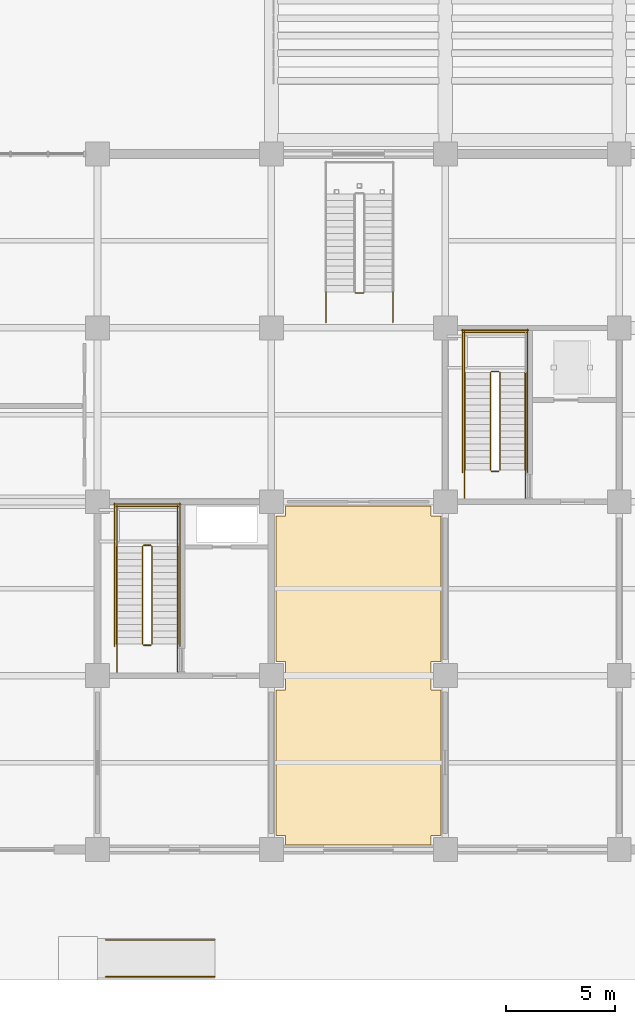
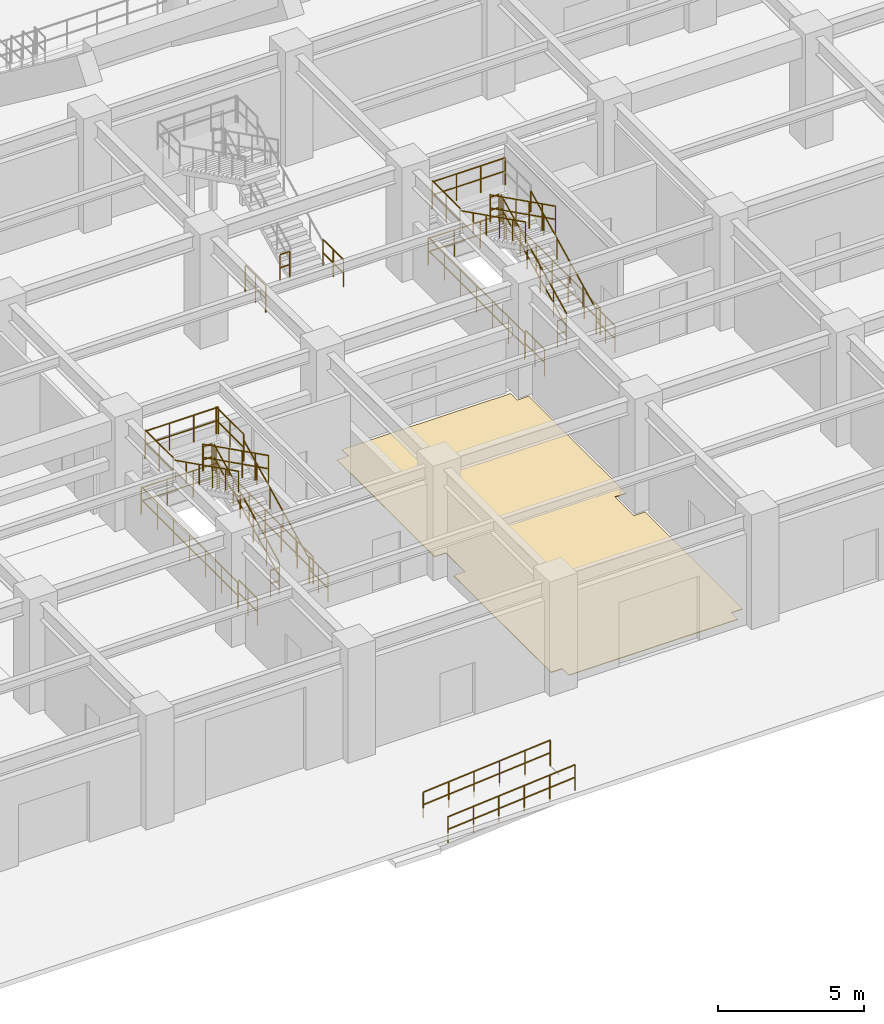
# One storey, part 105 of 125: 32 railings, 1 covering.
"""IFC4 building model written with IfcOpenShell, lengths in metres."""

from ifc_helpers import new_model, si_unit, direction, frame, origin, origin_2d, place, context, subcontext, project, spatial, polyline, circle, outline, extrude, material, layer, layer_set, type_object, element, save


model = new_model("IFC4")

# Units and contexts
model_context = context("Model", 3, precision=1e-05, world=origin(), true_north=direction((0.0, 1.0)))
body_context = subcontext(model_context, "Body", "Model", "MODEL_VIEW")
ifc_project = project(units=[si_unit("LENGTHUNIT", "METRE"), si_unit("AREAUNIT", "SQUARE_METRE"), si_unit("VOLUMEUNIT", "CUBIC_METRE"), si_unit("PLANEANGLEUNIT", "RADIAN"), si_unit("MASSUNIT", "GRAM", prefix="KILO")], contexts=[model_context])

# Site, building, storey
site_placement = place(None, origin())
site = spatial("IfcSite", under=ifc_project, at=site_placement, CompositionType="ELEMENT")
building_placement = place(site_placement, origin())
building = spatial("IfcBuilding", under=site, at=building_placement, Name="Haebicheon Civic Stadium", CompositionType="ELEMENT")
storey_placement = place(building_placement, origin())
storey = spatial("IfcBuildingStorey", under=building, at=storey_placement, Name="L01", CompositionType="ELEMENT", Elevation=0.0)

# Covering
ifc_material_1 = material(Name="Quartz epoxy resin mortar", Category="concrete")
ifc_layer = layer(ifc_material_1, 0.030029296875, Name="Quartz epoxy resin mortar")
ifc_layer_set = layer_set([ifc_layer], Name="Quartz epoxy resin mortar")
covering_type = type_object("IfcCoveringType", Name="COV-FLR-EPX", PredefinedType="FLOORING", material=ifc_layer_set)
covering_placement = place(storey_placement, origin())
element("IfcCovering", 1, at=covering_placement, inside=storey, type_object=covering_type, material=ifc_layer_set, Name="L01 Loading Dock Marshalling Bay non-slip floor finish", PredefinedType="FLOORING", context=body_context, shape_type="SweptSolid", body=[
    extrude(outline(polyline([(80.64990234375, 0.199951171875), (80.64990234375, 0.64990234375), (80.199951171875, 0.64990234375), (80.199951171875, 7.35009765625), (80.64990234375, 7.35009765625), (80.64990234375, 8.64990234375), (80.199951171875, 8.64990234375), (80.199951171875, 15.35009765625), (80.64990234375, 15.35009765625), (80.64990234375, 15.800048828125), (87.35009765625, 15.800048828125), (87.35009765625, 15.35009765625), (87.800048828125, 15.35009765625), (87.800048828125, 8.64990234375), (87.35009765625, 8.64990234375), (87.35009765625, 7.35009765625), (87.800048828125, 7.35009765625), (87.800048828125, 0.64990234375), (87.35009765625, 0.64990234375), (87.35009765625, 0.199951171875), (80.64990234375, 0.199951171875)])), origin(), (0.0, 0.0, 1.0), 0.030029296875),
])

# Railings
ifc_material_2 = material(Name="Stainless steel 316 and laminated glass", Category="steel")
railing_type_1 = type_object("IfcRailingType", Name="RL-BAL-1200", PredefinedType="BALUSTRADE", material=ifc_material_2)
for number, where, name in (
    (2, (72.360107421875, -5.85009765625, -0.419921875), "Ramp handrail guard RMP-06 L"),
    (3, (72.360107421875, -4.14990234375, -0.419921875), "Ramp handrail guard RMP-06 R"),
):
    element("IfcRailing", number, at=place(storey_placement, frame(where)), inside=storey, type_object=railing_type_1, material=ifc_material_2, Name=name, PredefinedType="BALUSTRADE", context=body_context, shape_type="SweptSolid", body=[
        extrude(circle(Radius=0.02392578125, at=origin_2d()), frame((0.0, 0.0, 1.076171875), z_axis=(0.996546756972, 0.0, 0.083033494259), x_axis=(0.0, 1.0, 0.0)), (0.0, 0.0, 1.0), 5.057373046875),
        extrude(circle(Radius=0.02392578125, at=origin_2d()), frame((0.0, 0.0, 0.550048828125), z_axis=(0.996546756972, 0.0, 0.083033494259), x_axis=(0.0, 1.0, 0.0)), (0.0, 0.0, 1.0), 5.057373046875),
        extrude(circle(Radius=0.02099609375, at=origin_2d()), origin(), (0.0, 0.0, 1.0), 1.052001953125),
        extrude(circle(Radius=0.02099609375, at=origin_2d()), frame((1.008056640625, 0.0, 0.083984375)), (0.0, 0.0, 1.0), 1.052001953125),
        extrude(circle(Radius=0.02099609375, at=origin_2d()), frame((2.015869140625, 0.0, 0.16796875)), (0.0, 0.0, 1.0), 1.052001953125),
        extrude(circle(Radius=0.02099609375, at=origin_2d()), frame((3.02392578125, 0.0, 0.251953125)), (0.0, 0.0, 1.0), 1.052001953125),
        extrude(circle(Radius=0.02099609375, at=origin_2d()), frame((4.03173828125, 0.0, 0.3359375)), (0.0, 0.0, 1.0), 1.052001953125),
        extrude(circle(Radius=0.02099609375, at=origin_2d()), frame((5.039794921875, 0.0, 0.419921875)), (0.0, 0.0, 1.0), 1.052001953125),
    ])
ifc_material_3 = material(Name="Galvanised painted steel SM355", Category="steel")
railing_type_2 = type_object("IfcRailingType", Name="RL-GRD-1150", PredefinedType="GUARDRAIL", material=ifc_material_3)
railing_1_placement = place(storey_placement, frame((90.510009765625, 17.449951171875, 0.14990234375)))
element("IfcRailing", 4, at=railing_1_placement, inside=storey, type_object=railing_type_2, material=ifc_material_3, Name="L01 ST-06 stair guard 1", PredefinedType="GUARDRAIL", context=body_context, shape_type="SweptSolid", body=[
    extrude(circle(Radius=0.02392578125, at=origin_2d()), frame((0.0, 0.0, 1.1259765625), z_axis=(0.0, 0.894427191, 0.4472135955), x_axis=(-1.0, 0.0, 0.0)), (0.0, 0.0, 1.0), 5.03125),
    extrude(circle(Radius=0.02392578125, at=origin_2d()), frame((0.0, 0.0, 0.574951171875), z_axis=(0.0, 0.894427191, 0.4472135955), x_axis=(-1.0, 0.0, 0.0)), (0.0, 0.0, 1.0), 5.03125),
    extrude(circle(Radius=0.02099609375, at=origin_2d()), origin(), (0.0, 0.0, 1.0), 1.101806640625),
    extrude(circle(Radius=0.02099609375, at=origin_2d()), frame((0.0, 0.89990234375, 0.449951171875)), (0.0, 0.0, 1.0), 1.101806640625),
    extrude(circle(Radius=0.02099609375, at=origin_2d()), frame((0.0, 1.800048828125, 0.89990234375)), (0.0, 0.0, 1.0), 1.101806640625),
    extrude(circle(Radius=0.02099609375, at=origin_2d()), frame((0.0, 2.699951171875, 1.35009765625)), (0.0, 0.0, 1.0), 1.101806640625),
    extrude(circle(Radius=0.02099609375, at=origin_2d()), frame((0.0, 3.60009765625, 1.800048828125)), (0.0, 0.0, 1.0), 1.101806640625),
    extrude(circle(Radius=0.02099609375, at=origin_2d()), frame((0.0, 4.5, 2.25)), (0.0, 0.0, 1.0), 1.101806640625),
])
railing_2_placement = place(storey_placement, frame((90.4599609375, 22.0, 2.39990234375)))
element("IfcRailing", 5, at=railing_2_placement, inside=storey, type_object=railing_type_2, material=ifc_material_3, Name="L01 ST-06 stair guard 2", PredefinedType="GUARDRAIL", context=body_context, shape_type="SweptSolid", body=[
    extrude(circle(Radius=0.02392578125, at=origin_2d()), frame((0.0, 0.0, 1.1259765625), z_axis=(-1.0, 0.0, 0.0), x_axis=(0.0, -1.0, 0.0)), (0.0, 0.0, 1.0), 0.33984375),
    extrude(circle(Radius=0.02392578125, at=origin_2d()), frame((0.0, 0.0, 0.574951171875), z_axis=(-1.0, 0.0, 0.0), x_axis=(0.0, -1.0, 0.0)), (0.0, 0.0, 1.0), 0.33984375),
    extrude(circle(Radius=0.02099609375, at=origin_2d()), origin(), (0.0, 0.0, 1.0), 1.101806640625),
    extrude(circle(Radius=0.02099609375, at=origin_2d()), frame((-0.33984375, 0.0, 0.0)), (0.0, 0.0, 1.0), 1.101806640625),
])
railing_3_placement = place(storey_placement, frame((88.889892578125, 21.949951171875, 2.39990234375)))
element("IfcRailing", 6, at=railing_3_placement, inside=storey, type_object=railing_type_2, material=ifc_material_3, Name="L01 ST-06 stair guard 4", PredefinedType="GUARDRAIL", context=body_context, shape_type="SweptSolid", body=[
    extrude(circle(Radius=0.02392578125, at=origin_2d()), frame((0.0, 0.0, 1.1259765625), z_axis=(0.0, 1.0, 0.0), x_axis=(-1.0, 0.0, 0.0)), (0.0, 0.0, 1.0), 1.89013671875),
    extrude(circle(Radius=0.02392578125, at=origin_2d()), frame((0.0, 0.0, 0.574951171875), z_axis=(0.0, 1.0, 0.0), x_axis=(-1.0, 0.0, 0.0)), (0.0, 0.0, 1.0), 1.89013671875),
    extrude(circle(Radius=0.02099609375, at=origin_2d()), origin(), (0.0, 0.0, 1.0), 1.101806640625),
    extrude(circle(Radius=0.02099609375, at=origin_2d()), frame((0.0, 0.945068359375, 0.0)), (0.0, 0.0, 1.0), 1.101806640625),
    extrude(circle(Radius=0.02099609375, at=origin_2d()), frame((0.0, 1.89013671875, 0.0)), (0.0, 0.0, 1.0), 1.101806640625),
])
railing_4_placement = place(storey_placement, frame((91.739990234375, 23.7900390625, 2.39990234375)))
element("IfcRailing", 7, at=railing_4_placement, inside=storey, type_object=railing_type_2, material=ifc_material_3, Name="L01 ST-06 stair guard 5", PredefinedType="GUARDRAIL", context=body_context, shape_type="SweptSolid", body=[
    extrude(circle(Radius=0.02392578125, at=origin_2d()), frame((0.0, 0.0, 1.1259765625), z_axis=(-1.0, 0.0, 0.0), x_axis=(0.0, -1.0, 0.0)), (0.0, 0.0, 1.0), 2.89990234375),
    extrude(circle(Radius=0.02392578125, at=origin_2d()), frame((0.0, 0.0, 0.574951171875), z_axis=(-1.0, 0.0, 0.0), x_axis=(0.0, -1.0, 0.0)), (0.0, 0.0, 1.0), 2.89990234375),
    extrude(circle(Radius=0.02099609375, at=origin_2d()), origin(), (0.0, 0.0, 1.0), 1.101806640625),
    extrude(circle(Radius=0.02099609375, at=origin_2d()), frame((-0.966552734375, 0.0, 0.0)), (0.0, 0.0, 1.0), 1.101806640625),
    extrude(circle(Radius=0.02099609375, at=origin_2d()), frame((-1.933349609375, 0.0, 0.0)), (0.0, 0.0, 1.0), 1.101806640625),
    extrude(circle(Radius=0.02099609375, at=origin_2d()), frame((-2.89990234375, 0.0, 0.0)), (0.0, 0.0, 1.0), 1.101806640625),
])
railing_5_placement = place(storey_placement, frame((90.070068359375, 21.949951171875, 2.550048828125)))
element("IfcRailing", 8, at=railing_5_placement, inside=storey, type_object=railing_type_2, material=ifc_material_3, Name="L01 ST-06 stair guard 6", PredefinedType="GUARDRAIL", context=body_context, shape_type="SweptSolid", body=[
    extrude(circle(Radius=0.02392578125, at=origin_2d()), frame((0.0, 0.0, 1.1259765625), z_axis=(0.0, -0.894427191, 0.4472135955), x_axis=(1.0, 0.0, 0.0)), (0.0, 0.0, 1.0), 5.03125),
    extrude(circle(Radius=0.02392578125, at=origin_2d()), frame((0.0, 0.0, 0.574951171875), z_axis=(0.0, -0.894427191, 0.4472135955), x_axis=(1.0, 0.0, 0.0)), (0.0, 0.0, 1.0), 5.03125),
    extrude(circle(Radius=0.02099609375, at=origin_2d()), origin(), (0.0, 0.0, 1.0), 1.101806640625),
    extrude(circle(Radius=0.02099609375, at=origin_2d()), frame((0.0, -0.89990234375, 0.449951171875)), (0.0, 0.0, 1.0), 1.101806640625),
    extrude(circle(Radius=0.02099609375, at=origin_2d()), frame((0.0, -1.800048828125, 0.89990234375)), (0.0, 0.0, 1.0), 1.101806640625),
    extrude(circle(Radius=0.02099609375, at=origin_2d()), frame((0.0, -2.699951171875, 1.35009765625)), (0.0, 0.0, 1.0), 1.101806640625),
    extrude(circle(Radius=0.02099609375, at=origin_2d()), frame((0.0, -3.60009765625, 1.800048828125)), (0.0, 0.0, 1.0), 1.101806640625),
    extrude(circle(Radius=0.02099609375, at=origin_2d()), frame((0.0, -4.5, 2.25)), (0.0, 0.0, 1.0), 1.101806640625),
])
railing_6_placement = place(storey_placement, frame((90.4599609375, 17.39990234375, 0.0)))
element("IfcRailing", 9, at=railing_6_placement, inside=storey, type_object=railing_type_2, material=ifc_material_3, Name="L01 ST-06 stair guard 7", PredefinedType="GUARDRAIL", context=body_context, shape_type="SweptSolid", body=[
    extrude(circle(Radius=0.02392578125, at=origin_2d()), frame((0.0, 0.0, 1.1259765625), z_axis=(-1.0, 0.0, 0.0), x_axis=(0.0, -1.0, 0.0)), (0.0, 0.0, 1.0), 0.33984375),
    extrude(circle(Radius=0.02392578125, at=origin_2d()), frame((0.0, 0.0, 0.574951171875), z_axis=(-1.0, 0.0, 0.0), x_axis=(0.0, -1.0, 0.0)), (0.0, 0.0, 1.0), 0.33984375),
    extrude(circle(Radius=0.02099609375, at=origin_2d()), origin(), (0.0, 0.0, 1.0), 1.101806640625),
    extrude(circle(Radius=0.02099609375, at=origin_2d()), frame((-0.33984375, 0.0, 0.0)), (0.0, 0.0, 1.0), 1.101806640625),
])
for number, where, name in (
    (10, (91.68994140625, 16.159912109375, 0.0), "L01 ST-06 stair guard 8"),
    (11, (88.889892578125, 16.159912109375, 0.0), "L01 ST-06 stair guard 9"),
):
    element("IfcRailing", number, at=place(storey_placement, frame(where)), inside=storey, type_object=railing_type_2, material=ifc_material_3, Name=name, PredefinedType="GUARDRAIL", context=body_context, shape_type="SweptSolid", body=[
        extrude(circle(Radius=0.02392578125, at=origin_2d()), frame((0.0, 0.0, 1.1259765625), z_axis=(0.0, 1.0, 0.0), x_axis=(-1.0, 0.0, 0.0)), (0.0, 0.0, 1.0), 1.2900390625),
        extrude(circle(Radius=0.02392578125, at=origin_2d()), frame((0.0, 0.0, 0.574951171875), z_axis=(0.0, 1.0, 0.0), x_axis=(-1.0, 0.0, 0.0)), (0.0, 0.0, 1.0), 1.2900390625),
        extrude(circle(Radius=0.02099609375, at=origin_2d()), origin(), (0.0, 0.0, 1.0), 1.101806640625),
        extrude(circle(Radius=0.02099609375, at=origin_2d()), frame((0.0, 0.64501953125, 0.0)), (0.0, 0.0, 1.0), 1.101806640625),
        extrude(circle(Radius=0.02099609375, at=origin_2d()), frame((0.0, 1.2900390625, 0.0)), (0.0, 0.0, 1.0), 1.101806640625),
    ])
for number, where, name in (
    (12, (91.7900390625, 17.35009765625, 0.0), "L01 ST-06 stair guard 10"),
    (13, (88.7900390625, 17.35009765625, 0.0), "L01 ST-06 stair guard 11"),
):
    element("IfcRailing", number, at=place(storey_placement, frame(where)), inside=storey, type_object=railing_type_2, material=ifc_material_3, Name=name, PredefinedType="GUARDRAIL", context=body_context, shape_type="SweptSolid", body=[
        extrude(circle(Radius=0.02392578125, at=origin_2d()), frame((0.0, 0.0, 1.1259765625), z_axis=(0.0, 1.0, 0.0), x_axis=(-1.0, 0.0, 0.0)), (0.0, 0.0, 1.0), 6.58984375),
        extrude(circle(Radius=0.02392578125, at=origin_2d()), frame((0.0, 0.0, 0.574951171875), z_axis=(0.0, 1.0, 0.0), x_axis=(-1.0, 0.0, 0.0)), (0.0, 0.0, 1.0), 6.58984375),
        extrude(circle(Radius=0.02099609375, at=origin_2d()), origin(), (0.0, 0.0, 1.0), 1.101806640625),
        extrude(circle(Radius=0.02099609375, at=origin_2d()), frame((0.0, 1.098388671875, 0.0)), (0.0, 0.0, 1.0), 1.101806640625),
        extrude(circle(Radius=0.02099609375, at=origin_2d()), frame((0.0, 2.196533203125, 0.0)), (0.0, 0.0, 1.0), 1.101806640625),
        extrude(circle(Radius=0.02099609375, at=origin_2d()), frame((0.0, 3.294921875, 0.0)), (0.0, 0.0, 1.0), 1.101806640625),
        extrude(circle(Radius=0.02099609375, at=origin_2d()), frame((0.0, 4.393310546875, 0.0)), (0.0, 0.0, 1.0), 1.101806640625),
        extrude(circle(Radius=0.02099609375, at=origin_2d()), frame((0.0, 5.491455078125, 0.0)), (0.0, 0.0, 1.0), 1.101806640625),
        extrude(circle(Radius=0.02099609375, at=origin_2d()), frame((0.0, 6.58984375, 0.0)), (0.0, 0.0, 1.0), 1.101806640625),
    ])
railing_7_placement = place(storey_placement, frame((91.840087890625, 23.889892578125, 0.0)))
element("IfcRailing", 14, at=railing_7_placement, inside=storey, type_object=railing_type_2, material=ifc_material_3, Name="L01 ST-06 stair guard 12", PredefinedType="GUARDRAIL", context=body_context, shape_type="SweptSolid", body=[
    extrude(circle(Radius=0.02392578125, at=origin_2d()), frame((0.0, 0.0, 1.1259765625), z_axis=(-1.0, 0.0, 0.0), x_axis=(0.0, -1.0, 0.0)), (0.0, 0.0, 1.0), 3.10009765625),
    extrude(circle(Radius=0.02392578125, at=origin_2d()), frame((0.0, 0.0, 0.574951171875), z_axis=(-1.0, 0.0, 0.0), x_axis=(0.0, -1.0, 0.0)), (0.0, 0.0, 1.0), 3.10009765625),
    extrude(circle(Radius=0.02099609375, at=origin_2d()), origin(), (0.0, 0.0, 1.0), 1.101806640625),
    extrude(circle(Radius=0.02099609375, at=origin_2d()), frame((-1.033447265625, 0.0, 0.0)), (0.0, 0.0, 1.0), 1.101806640625),
    extrude(circle(Radius=0.02099609375, at=origin_2d()), frame((-2.066650390625, 0.0, 0.0)), (0.0, 0.0, 1.0), 1.101806640625),
    extrude(circle(Radius=0.02099609375, at=origin_2d()), frame((-3.10009765625, 0.0, 0.0)), (0.0, 0.0, 1.0), 1.101806640625),
])
railing_8_placement = place(storey_placement, frame((74.510009765625, 9.449951171875, 0.14990234375)))
element("IfcRailing", 15, at=railing_8_placement, inside=storey, type_object=railing_type_2, material=ifc_material_3, Name="L01 ST-16 stair guard 1", PredefinedType="GUARDRAIL", context=body_context, shape_type="SweptSolid", body=[
    extrude(circle(Radius=0.02392578125, at=origin_2d()), frame((0.0, 0.0, 1.1259765625), z_axis=(0.0, 0.894427191, 0.4472135955), x_axis=(-1.0, 0.0, 0.0)), (0.0, 0.0, 1.0), 5.03125),
    extrude(circle(Radius=0.02392578125, at=origin_2d()), frame((0.0, 0.0, 0.574951171875), z_axis=(0.0, 0.894427191, 0.4472135955), x_axis=(-1.0, 0.0, 0.0)), (0.0, 0.0, 1.0), 5.03125),
    extrude(circle(Radius=0.02099609375, at=origin_2d()), origin(), (0.0, 0.0, 1.0), 1.101806640625),
    extrude(circle(Radius=0.02099609375, at=origin_2d()), frame((0.0, 0.89990234375, 0.449951171875)), (0.0, 0.0, 1.0), 1.101806640625),
    extrude(circle(Radius=0.02099609375, at=origin_2d()), frame((0.0, 1.800048828125, 0.89990234375)), (0.0, 0.0, 1.0), 1.101806640625),
    extrude(circle(Radius=0.02099609375, at=origin_2d()), frame((0.0, 2.699951171875, 1.35009765625)), (0.0, 0.0, 1.0), 1.101806640625),
    extrude(circle(Radius=0.02099609375, at=origin_2d()), frame((0.0, 3.60009765625, 1.800048828125)), (0.0, 0.0, 1.0), 1.101806640625),
    extrude(circle(Radius=0.02099609375, at=origin_2d()), frame((0.0, 4.5, 2.25)), (0.0, 0.0, 1.0), 1.101806640625),
])
railing_9_placement = place(storey_placement, frame((74.4599609375, 14.0, 2.39990234375)))
element("IfcRailing", 16, at=railing_9_placement, inside=storey, type_object=railing_type_2, material=ifc_material_3, Name="L01 ST-16 stair guard 2", PredefinedType="GUARDRAIL", context=body_context, shape_type="SweptSolid", body=[
    extrude(circle(Radius=0.02392578125, at=origin_2d()), frame((0.0, 0.0, 1.1259765625), z_axis=(-1.0, 0.0, 0.0), x_axis=(0.0, -1.0, 0.0)), (0.0, 0.0, 1.0), 0.33984375),
    extrude(circle(Radius=0.02392578125, at=origin_2d()), frame((0.0, 0.0, 0.574951171875), z_axis=(-1.0, 0.0, 0.0), x_axis=(0.0, -1.0, 0.0)), (0.0, 0.0, 1.0), 0.33984375),
    extrude(circle(Radius=0.02099609375, at=origin_2d()), origin(), (0.0, 0.0, 1.0), 1.101806640625),
    extrude(circle(Radius=0.02099609375, at=origin_2d()), frame((-0.33984375, 0.0, 0.0)), (0.0, 0.0, 1.0), 1.101806640625),
])
for number, where, name in (
    (17, (75.68994140625, 13.949951171875, 2.39990234375), "L01 ST-16 stair guard 3"),
    (18, (72.889892578125, 13.949951171875, 2.39990234375), "L01 ST-16 stair guard 4"),
):
    element("IfcRailing", number, at=place(storey_placement, frame(where)), inside=storey, type_object=railing_type_2, material=ifc_material_3, Name=name, PredefinedType="GUARDRAIL", context=body_context, shape_type="SweptSolid", body=[
        extrude(circle(Radius=0.02392578125, at=origin_2d()), frame((0.0, 0.0, 1.1259765625), z_axis=(0.0, 1.0, 0.0), x_axis=(-1.0, 0.0, 0.0)), (0.0, 0.0, 1.0), 1.89013671875),
        extrude(circle(Radius=0.02392578125, at=origin_2d()), frame((0.0, 0.0, 0.574951171875), z_axis=(0.0, 1.0, 0.0), x_axis=(-1.0, 0.0, 0.0)), (0.0, 0.0, 1.0), 1.89013671875),
        extrude(circle(Radius=0.02099609375, at=origin_2d()), origin(), (0.0, 0.0, 1.0), 1.101806640625),
        extrude(circle(Radius=0.02099609375, at=origin_2d()), frame((0.0, 0.945068359375, 0.0)), (0.0, 0.0, 1.0), 1.101806640625),
        extrude(circle(Radius=0.02099609375, at=origin_2d()), frame((0.0, 1.89013671875, 0.0)), (0.0, 0.0, 1.0), 1.101806640625),
    ])
railing_10_placement = place(storey_placement, frame((75.739990234375, 15.7900390625, 2.39990234375)))
element("IfcRailing", 19, at=railing_10_placement, inside=storey, type_object=railing_type_2, material=ifc_material_3, Name="L01 ST-16 stair guard 5", PredefinedType="GUARDRAIL", context=body_context, shape_type="SweptSolid", body=[
    extrude(circle(Radius=0.02392578125, at=origin_2d()), frame((0.0, 0.0, 1.1259765625), z_axis=(-1.0, 0.0, 0.0), x_axis=(0.0, -1.0, 0.0)), (0.0, 0.0, 1.0), 2.89990234375),
    extrude(circle(Radius=0.02392578125, at=origin_2d()), frame((0.0, 0.0, 0.574951171875), z_axis=(-1.0, 0.0, 0.0), x_axis=(0.0, -1.0, 0.0)), (0.0, 0.0, 1.0), 2.89990234375),
    extrude(circle(Radius=0.02099609375, at=origin_2d()), origin(), (0.0, 0.0, 1.0), 1.101806640625),
    extrude(circle(Radius=0.02099609375, at=origin_2d()), frame((-0.966552734375, 0.0, 0.0)), (0.0, 0.0, 1.0), 1.101806640625),
    extrude(circle(Radius=0.02099609375, at=origin_2d()), frame((-1.933349609375, 0.0, 0.0)), (0.0, 0.0, 1.0), 1.101806640625),
    extrude(circle(Radius=0.02099609375, at=origin_2d()), frame((-2.89990234375, 0.0, 0.0)), (0.0, 0.0, 1.0), 1.101806640625),
])
railing_11_placement = place(storey_placement, frame((74.070068359375, 13.949951171875, 2.550048828125)))
element("IfcRailing", 20, at=railing_11_placement, inside=storey, type_object=railing_type_2, material=ifc_material_3, Name="L01 ST-16 stair guard 6", PredefinedType="GUARDRAIL", context=body_context, shape_type="SweptSolid", body=[
    extrude(circle(Radius=0.02392578125, at=origin_2d()), frame((0.0, 0.0, 1.1259765625), z_axis=(0.0, -0.894427191, 0.4472135955), x_axis=(1.0, 0.0, 0.0)), (0.0, 0.0, 1.0), 5.03125),
    extrude(circle(Radius=0.02392578125, at=origin_2d()), frame((0.0, 0.0, 0.574951171875), z_axis=(0.0, -0.894427191, 0.4472135955), x_axis=(1.0, 0.0, 0.0)), (0.0, 0.0, 1.0), 5.03125),
    extrude(circle(Radius=0.02099609375, at=origin_2d()), origin(), (0.0, 0.0, 1.0), 1.101806640625),
    extrude(circle(Radius=0.02099609375, at=origin_2d()), frame((0.0, -0.89990234375, 0.449951171875)), (0.0, 0.0, 1.0), 1.101806640625),
    extrude(circle(Radius=0.02099609375, at=origin_2d()), frame((0.0, -1.800048828125, 0.89990234375)), (0.0, 0.0, 1.0), 1.101806640625),
    extrude(circle(Radius=0.02099609375, at=origin_2d()), frame((0.0, -2.699951171875, 1.35009765625)), (0.0, 0.0, 1.0), 1.101806640625),
    extrude(circle(Radius=0.02099609375, at=origin_2d()), frame((0.0, -3.60009765625, 1.800048828125)), (0.0, 0.0, 1.0), 1.101806640625),
    extrude(circle(Radius=0.02099609375, at=origin_2d()), frame((0.0, -4.5, 2.25)), (0.0, 0.0, 1.0), 1.101806640625),
])
railing_12_placement = place(storey_placement, frame((74.4599609375, 9.39990234375, 0.0)))
element("IfcRailing", 21, at=railing_12_placement, inside=storey, type_object=railing_type_2, material=ifc_material_3, Name="L01 ST-16 stair guard 7", PredefinedType="GUARDRAIL", context=body_context, shape_type="SweptSolid", body=[
    extrude(circle(Radius=0.02392578125, at=origin_2d()), frame((0.0, 0.0, 1.1259765625), z_axis=(-1.0, 0.0, 0.0), x_axis=(0.0, -1.0, 0.0)), (0.0, 0.0, 1.0), 0.33984375),
    extrude(circle(Radius=0.02392578125, at=origin_2d()), frame((0.0, 0.0, 0.574951171875), z_axis=(-1.0, 0.0, 0.0), x_axis=(0.0, -1.0, 0.0)), (0.0, 0.0, 1.0), 0.33984375),
    extrude(circle(Radius=0.02099609375, at=origin_2d()), origin(), (0.0, 0.0, 1.0), 1.101806640625),
    extrude(circle(Radius=0.02099609375, at=origin_2d()), frame((-0.33984375, 0.0, 0.0)), (0.0, 0.0, 1.0), 1.101806640625),
])
for number, where, name in (
    (22, (75.68994140625, 8.159912109375, 0.0), "L01 ST-16 stair guard 8"),
    (23, (72.889892578125, 8.159912109375, 0.0), "L01 ST-16 stair guard 9"),
):
    element("IfcRailing", number, at=place(storey_placement, frame(where)), inside=storey, type_object=railing_type_2, material=ifc_material_3, Name=name, PredefinedType="GUARDRAIL", context=body_context, shape_type="SweptSolid", body=[
        extrude(circle(Radius=0.02392578125, at=origin_2d()), frame((0.0, 0.0, 1.1259765625), z_axis=(0.0, 1.0, 0.0), x_axis=(-1.0, 0.0, 0.0)), (0.0, 0.0, 1.0), 1.2900390625),
        extrude(circle(Radius=0.02392578125, at=origin_2d()), frame((0.0, 0.0, 0.574951171875), z_axis=(0.0, 1.0, 0.0), x_axis=(-1.0, 0.0, 0.0)), (0.0, 0.0, 1.0), 1.2900390625),
        extrude(circle(Radius=0.02099609375, at=origin_2d()), origin(), (0.0, 0.0, 1.0), 1.101806640625),
        extrude(circle(Radius=0.02099609375, at=origin_2d()), frame((0.0, 0.64501953125, 0.0)), (0.0, 0.0, 1.0), 1.101806640625),
        extrude(circle(Radius=0.02099609375, at=origin_2d()), frame((0.0, 1.2900390625, 0.0)), (0.0, 0.0, 1.0), 1.101806640625),
    ])
for number, where, name in (
    (24, (75.7900390625, 9.35009765625, 0.0), "L01 ST-16 stair guard 10"),
    (25, (72.7900390625, 9.35009765625, 0.0), "L01 ST-16 stair guard 11"),
):
    element("IfcRailing", number, at=place(storey_placement, frame(where)), inside=storey, type_object=railing_type_2, material=ifc_material_3, Name=name, PredefinedType="GUARDRAIL", context=body_context, shape_type="SweptSolid", body=[
        extrude(circle(Radius=0.02392578125, at=origin_2d()), frame((0.0, 0.0, 1.1259765625), z_axis=(0.0, 1.0, 0.0), x_axis=(-1.0, 0.0, 0.0)), (0.0, 0.0, 1.0), 6.58984375),
        extrude(circle(Radius=0.02392578125, at=origin_2d()), frame((0.0, 0.0, 0.574951171875), z_axis=(0.0, 1.0, 0.0), x_axis=(-1.0, 0.0, 0.0)), (0.0, 0.0, 1.0), 6.58984375),
        extrude(circle(Radius=0.02099609375, at=origin_2d()), origin(), (0.0, 0.0, 1.0), 1.101806640625),
        extrude(circle(Radius=0.02099609375, at=origin_2d()), frame((0.0, 1.098388671875, 0.0)), (0.0, 0.0, 1.0), 1.101806640625),
        extrude(circle(Radius=0.02099609375, at=origin_2d()), frame((0.0, 2.196533203125, 0.0)), (0.0, 0.0, 1.0), 1.101806640625),
        extrude(circle(Radius=0.02099609375, at=origin_2d()), frame((0.0, 3.294921875, 0.0)), (0.0, 0.0, 1.0), 1.101806640625),
        extrude(circle(Radius=0.02099609375, at=origin_2d()), frame((0.0, 4.393310546875, 0.0)), (0.0, 0.0, 1.0), 1.101806640625),
        extrude(circle(Radius=0.02099609375, at=origin_2d()), frame((0.0, 5.491455078125, 0.0)), (0.0, 0.0, 1.0), 1.101806640625),
        extrude(circle(Radius=0.02099609375, at=origin_2d()), frame((0.0, 6.58984375, 0.0)), (0.0, 0.0, 1.0), 1.101806640625),
    ])
railing_13_placement = place(storey_placement, frame((75.840087890625, 15.889892578125, 0.0)))
element("IfcRailing", 26, at=railing_13_placement, inside=storey, type_object=railing_type_2, material=ifc_material_3, Name="L01 ST-16 stair guard 12", PredefinedType="GUARDRAIL", context=body_context, shape_type="SweptSolid", body=[
    extrude(circle(Radius=0.02392578125, at=origin_2d()), frame((0.0, 0.0, 1.1259765625), z_axis=(-1.0, 0.0, 0.0), x_axis=(0.0, -1.0, 0.0)), (0.0, 0.0, 1.0), 3.10009765625),
    extrude(circle(Radius=0.02392578125, at=origin_2d()), frame((0.0, 0.0, 0.574951171875), z_axis=(-1.0, 0.0, 0.0), x_axis=(0.0, -1.0, 0.0)), (0.0, 0.0, 1.0), 3.10009765625),
    extrude(circle(Radius=0.02099609375, at=origin_2d()), origin(), (0.0, 0.0, 1.0), 1.101806640625),
    extrude(circle(Radius=0.02099609375, at=origin_2d()), frame((-1.033447265625, 0.0, 0.0)), (0.0, 0.0, 1.0), 1.101806640625),
    extrude(circle(Radius=0.02099609375, at=origin_2d()), frame((-2.066650390625, 0.0, 0.0)), (0.0, 0.0, 1.0), 1.101806640625),
    extrude(circle(Radius=0.02099609375, at=origin_2d()), frame((-3.10009765625, 0.0, 0.0)), (0.0, 0.0, 1.0), 1.101806640625),
])
railing_14_placement = place(storey_placement, frame((84.239990234375, 25.60009765625, 0.0)))
element("IfcRailing", 27, at=railing_14_placement, inside=storey, type_object=railing_type_2, material=ifc_material_3, Name="L01 VM-10 stair guard 7", PredefinedType="GUARDRAIL", context=body_context, shape_type="SweptSolid", body=[
    extrude(circle(Radius=0.02392578125, at=origin_2d()), frame((0.0, 0.0, 1.1259765625), z_axis=(-1.0, 0.0, 0.0), x_axis=(0.0, -1.0, 0.0)), (0.0, 0.0, 1.0), 0.3798828125),
    extrude(circle(Radius=0.02392578125, at=origin_2d()), frame((0.0, 0.0, 0.574951171875), z_axis=(-1.0, 0.0, 0.0), x_axis=(0.0, -1.0, 0.0)), (0.0, 0.0, 1.0), 0.3798828125),
    extrude(circle(Radius=0.02099609375, at=origin_2d()), origin(), (0.0, 0.0, 1.0), 1.101806640625),
    extrude(circle(Radius=0.02099609375, at=origin_2d()), frame((-0.3798828125, 0.0, 0.0)), (0.0, 0.0, 1.0), 1.101806640625),
])
for number, where, name in (
    (28, (85.590087890625, 24.25, 0.0), "L01 VM-10 stair guard 8"),
    (29, (82.510009765625, 24.25, 0.0), "L01 VM-10 stair guard 9"),
):
    element("IfcRailing", number, at=place(storey_placement, frame(where)), inside=storey, type_object=railing_type_2, material=ifc_material_3, Name=name, PredefinedType="GUARDRAIL", context=body_context, shape_type="SweptSolid", body=[
        extrude(circle(Radius=0.02392578125, at=origin_2d()), frame((0.0, 0.0, 1.1259765625), z_axis=(0.0, 1.0, 0.0), x_axis=(-1.0, 0.0, 0.0)), (0.0, 0.0, 1.0), 1.39990234375),
        extrude(circle(Radius=0.02392578125, at=origin_2d()), frame((0.0, 0.0, 0.574951171875), z_axis=(0.0, 1.0, 0.0), x_axis=(-1.0, 0.0, 0.0)), (0.0, 0.0, 1.0), 1.39990234375),
        extrude(circle(Radius=0.02099609375, at=origin_2d()), origin(), (0.0, 0.0, 1.0), 1.101806640625),
        extrude(circle(Radius=0.02099609375, at=origin_2d()), frame((0.0, 0.699951171875, 0.0)), (0.0, 0.0, 1.0), 1.101806640625),
        extrude(circle(Radius=0.02099609375, at=origin_2d()), frame((0.0, 1.39990234375, 0.0)), (0.0, 0.0, 1.0), 1.101806640625),
    ])
ifc_material_4 = material(Name="Stainless steel 316", Category="steel")
railing_type_3 = type_object("IfcRailingType", Name="RL-HND-900", PredefinedType="HANDRAIL", material=ifc_material_4)
railing_15_placement = place(storey_placement, frame((91.68994140625, 17.449951171875, 0.14990234375)))
element("IfcRailing", 30, at=railing_15_placement, inside=storey, type_object=railing_type_3, material=ifc_material_4, Name="L01 ST-06 stair handrail 1", PredefinedType="HANDRAIL", context=body_context, shape_type="SweptSolid", body=[
    extrude(circle(Radius=0.02392578125, at=origin_2d()), frame((0.0, 0.0, 0.8759765625), z_axis=(0.0, 0.894427191, 0.4472135955), x_axis=(-1.0, 0.0, 0.0)), (0.0, 0.0, 1.0), 5.03125),
    extrude(circle(Radius=0.02099609375, at=origin_2d()), origin(), (0.0, 0.0, 1.0), 0.851806640625),
    extrude(circle(Radius=0.02099609375, at=origin_2d()), frame((0.0, 0.89990234375, 0.449951171875)), (0.0, 0.0, 1.0), 0.851806640625),
    extrude(circle(Radius=0.02099609375, at=origin_2d()), frame((0.0, 1.800048828125, 0.89990234375)), (0.0, 0.0, 1.0), 0.851806640625),
    extrude(circle(Radius=0.02099609375, at=origin_2d()), frame((0.0, 2.699951171875, 1.35009765625)), (0.0, 0.0, 1.0), 0.851806640625),
    extrude(circle(Radius=0.02099609375, at=origin_2d()), frame((0.0, 3.60009765625, 1.800048828125)), (0.0, 0.0, 1.0), 0.851806640625),
    extrude(circle(Radius=0.02099609375, at=origin_2d()), frame((0.0, 4.5, 2.25)), (0.0, 0.0, 1.0), 0.851806640625),
])
railing_16_placement = place(storey_placement, frame((88.889892578125, 21.949951171875, 2.550048828125)))
element("IfcRailing", 31, at=railing_16_placement, inside=storey, type_object=railing_type_3, material=ifc_material_4, Name="L01 ST-06 stair handrail 2", PredefinedType="HANDRAIL", context=body_context, shape_type="SweptSolid", body=[
    extrude(circle(Radius=0.02392578125, at=origin_2d()), frame((0.0, 0.0, 0.8759765625), z_axis=(0.0, -0.894427191, 0.4472135955), x_axis=(1.0, 0.0, 0.0)), (0.0, 0.0, 1.0), 5.03125),
    extrude(circle(Radius=0.02099609375, at=origin_2d()), origin(), (0.0, 0.0, 1.0), 0.851806640625),
    extrude(circle(Radius=0.02099609375, at=origin_2d()), frame((0.0, -0.89990234375, 0.449951171875)), (0.0, 0.0, 1.0), 0.851806640625),
    extrude(circle(Radius=0.02099609375, at=origin_2d()), frame((0.0, -1.800048828125, 0.89990234375)), (0.0, 0.0, 1.0), 0.851806640625),
    extrude(circle(Radius=0.02099609375, at=origin_2d()), frame((0.0, -2.699951171875, 1.35009765625)), (0.0, 0.0, 1.0), 0.851806640625),
    extrude(circle(Radius=0.02099609375, at=origin_2d()), frame((0.0, -3.60009765625, 1.800048828125)), (0.0, 0.0, 1.0), 0.851806640625),
    extrude(circle(Radius=0.02099609375, at=origin_2d()), frame((0.0, -4.5, 2.25)), (0.0, 0.0, 1.0), 0.851806640625),
])
railing_17_placement = place(storey_placement, frame((75.68994140625, 9.449951171875, 0.14990234375)))
element("IfcRailing", 32, at=railing_17_placement, inside=storey, type_object=railing_type_3, material=ifc_material_4, Name="L01 ST-16 stair handrail 1", PredefinedType="HANDRAIL", context=body_context, shape_type="SweptSolid", body=[
    extrude(circle(Radius=0.02392578125, at=origin_2d()), frame((0.0, 0.0, 0.8759765625), z_axis=(0.0, 0.894427191, 0.4472135955), x_axis=(-1.0, 0.0, 0.0)), (0.0, 0.0, 1.0), 5.03125),
    extrude(circle(Radius=0.02099609375, at=origin_2d()), origin(), (0.0, 0.0, 1.0), 0.851806640625),
    extrude(circle(Radius=0.02099609375, at=origin_2d()), frame((0.0, 0.89990234375, 0.449951171875)), (0.0, 0.0, 1.0), 0.851806640625),
    extrude(circle(Radius=0.02099609375, at=origin_2d()), frame((0.0, 1.800048828125, 0.89990234375)), (0.0, 0.0, 1.0), 0.851806640625),
    extrude(circle(Radius=0.02099609375, at=origin_2d()), frame((0.0, 2.699951171875, 1.35009765625)), (0.0, 0.0, 1.0), 0.851806640625),
    extrude(circle(Radius=0.02099609375, at=origin_2d()), frame((0.0, 3.60009765625, 1.800048828125)), (0.0, 0.0, 1.0), 0.851806640625),
    extrude(circle(Radius=0.02099609375, at=origin_2d()), frame((0.0, 4.5, 2.25)), (0.0, 0.0, 1.0), 0.851806640625),
])
railing_18_placement = place(storey_placement, frame((72.889892578125, 13.949951171875, 2.550048828125)))
element("IfcRailing", 33, at=railing_18_placement, inside=storey, type_object=railing_type_3, material=ifc_material_4, Name="L01 ST-16 stair handrail 2", PredefinedType="HANDRAIL", context=body_context, shape_type="SweptSolid", body=[
    extrude(circle(Radius=0.02392578125, at=origin_2d()), frame((0.0, 0.0, 0.8759765625), z_axis=(0.0, -0.894427191, 0.4472135955), x_axis=(1.0, 0.0, 0.0)), (0.0, 0.0, 1.0), 5.03125),
    extrude(circle(Radius=0.02099609375, at=origin_2d()), origin(), (0.0, 0.0, 1.0), 0.851806640625),
    extrude(circle(Radius=0.02099609375, at=origin_2d()), frame((0.0, -0.89990234375, 0.449951171875)), (0.0, 0.0, 1.0), 0.851806640625),
    extrude(circle(Radius=0.02099609375, at=origin_2d()), frame((0.0, -1.800048828125, 0.89990234375)), (0.0, 0.0, 1.0), 0.851806640625),
    extrude(circle(Radius=0.02099609375, at=origin_2d()), frame((0.0, -2.699951171875, 1.35009765625)), (0.0, 0.0, 1.0), 0.851806640625),
    extrude(circle(Radius=0.02099609375, at=origin_2d()), frame((0.0, -3.60009765625, 1.800048828125)), (0.0, 0.0, 1.0), 0.851806640625),
    extrude(circle(Radius=0.02099609375, at=origin_2d()), frame((0.0, -4.5, 2.25)), (0.0, 0.0, 1.0), 0.851806640625),
])

save(model, "model.ifc")
